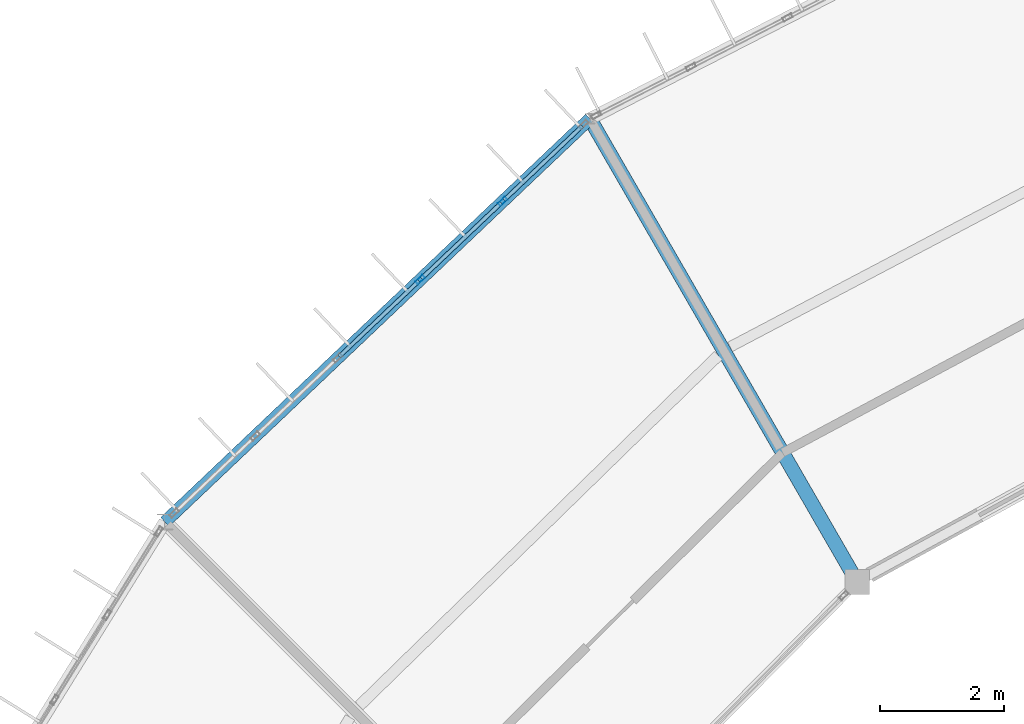
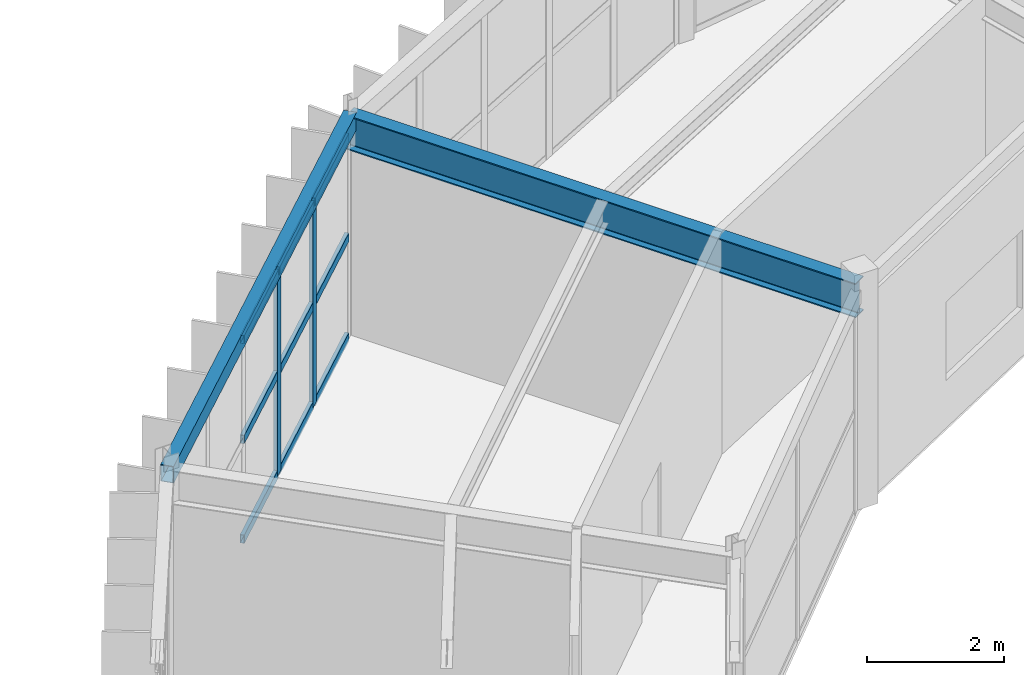
# One storey, part 71 of 134: 11 members, 2 beams, 1 element without a shape of its own.
"""IFC4 building model written with IfcOpenShell, lengths in metres."""

import ifcopenshell
import ifcopenshell.guid

model = None  # the IFC model being written
_history = None  # IfcOwnerHistory: only IFC2X3 demands one
_inside = {}  # id of a spatial element -> (the spatial element, [elements in it])
_under = {}  # id of a project, library or spatial element -> (it, [spatial elements below it])
_declared = {}  # id of a project -> (the project, [libraries it declares])
_typed = {}  # id of a type object -> (the type object, [elements of that type])
_made_of = {}  # id of a material, layer set ... -> (it, [elements and type objects made of it])


def new_model(schema):
    """Start an empty IFC model of exactly this schema.

    Asked for "IFC4X3", IfcOpenShell would pick the latest addendum, in which some entities
    have other attributes; the version numbers below select the first issue.
    IFC2X3 requires an IfcOwnerHistory on every rooted entity: one is made here for all.
    """
    global model, _history
    if schema == "IFC4X3":
        model = ifcopenshell.file(schema_version=(4, 3, 0, 0))
    else:
        model = ifcopenshell.file(schema=schema)
    _inside.clear()
    _under.clear()
    _declared.clear()
    _typed.clear()
    _made_of.clear()
    _history = None
    if model.schema == "IFC2X3":
        org = make("IfcOrganization", Name="unknown")
        user = make(
            "IfcPersonAndOrganization",
            ThePerson=make("IfcPerson", FamilyName="unknown"),
            TheOrganization=org,
        )
        app = make(
            "IfcApplication",
            ApplicationDeveloper=org,
            Version="unknown",
            ApplicationFullName="unknown",
            ApplicationIdentifier="unknown",
        )
        _history = make(
            "IfcOwnerHistory",
            OwningUser=user,
            OwningApplication=app,
            ChangeAction="ADDED",
            CreationDate=0,
        )
    return model


def make(cls, **values):
    """One entity of the class cls with the attributes given. An attribute that is None is left unset."""
    return model.create_entity(
        cls, **{name: value for name, value in values.items() if value is not None}
    )


def rooted(cls, **values):
    """An entity with a GlobalId (a new one), such as an element, a storey or a relation."""
    return make(cls, GlobalId=ifcopenshell.guid.new(), OwnerHistory=_history, **values)


def si_unit(unit_type, name, prefix=None):
    """IfcSIUnit, for example si_unit("LENGTHUNIT", "METRE", prefix="MILLI")."""
    return make("IfcSIUnit", UnitType=unit_type, Prefix=prefix, Name=name)


def assignment(units):
    """IfcUnitAssignment: the units of a project."""
    return None if units is None else make("IfcUnitAssignment", Units=units)


def point(xyz):
    """IfcCartesianPoint."""
    return None if xyz is None else make("IfcCartesianPoint", Coordinates=xyz)


def direction(xyz):
    """IfcDirection."""
    return None if xyz is None else make("IfcDirection", DirectionRatios=xyz)


def frame(location, z_axis=None, x_axis=None):
    """IfcAxis2Placement3D, a coordinate frame: its origin and axes. An axis left out is left unset."""
    return make(
        "IfcAxis2Placement3D",
        Location=point(location),
        Axis=direction(z_axis),
        RefDirection=direction(x_axis),
    )


def frame_2d(location, x_axis=None):
    """IfcAxis2Placement2D, a coordinate frame in the plane: its origin and x axis."""
    return make(
        "IfcAxis2Placement2D", Location=point(location), RefDirection=direction(x_axis)
    )


def origin():
    """The frame at (0, 0, 0) with its axes left unset."""
    return frame((0.0, 0.0, 0.0))


def origin_2d():
    """The frame at (0, 0) in the plane with its x axis left unset."""
    return frame_2d((0.0, 0.0))


def place(relative_to, where):
    """IfcLocalPlacement: puts the frame where relative to a parent placement (None: the world)."""
    return make(
        "IfcLocalPlacement", PlacementRelTo=relative_to, RelativePlacement=where
    )


def context(
    kind, dimensions, precision=None, world=None, true_north=None, identifier=None
):
    """IfcGeometricRepresentationContext, for example the 3D "Model" context."""
    return make(
        "IfcGeometricRepresentationContext",
        ContextIdentifier=identifier,
        ContextType=kind,
        CoordinateSpaceDimension=dimensions,
        Precision=precision,
        WorldCoordinateSystem=world,
        TrueNorth=true_north,
    )


def subcontext(parent, identifier, kind, view, scale=None):
    """IfcGeometricRepresentationSubContext, for example "Body" below "Model"."""
    return make(
        "IfcGeometricRepresentationSubContext",
        ContextIdentifier=identifier,
        ContextType=kind,
        ParentContext=parent,
        TargetScale=scale,
        TargetView=view,
    )


def project(units=None, contexts=None):
    """IfcProject with its units and contexts."""
    return rooted(
        "IfcProject",
        Name="project",
        RepresentationContexts=contexts,
        UnitsInContext=assignment(units),
    )


def spatial(cls, under=None, at=None, **own):
    """A site, building, storey or space (cls), placed at a placement, below another one or the project."""
    s = rooted(cls, ObjectPlacement=at, **own)
    if under is not None:
        _under.setdefault(under.id(), (under, []))[1].append(s)
    return s


def profile(cls, at=None, kind="AREA", **sizes):
    """A parametric profile (cls). Its sizes go by their IFC names, for example OverallWidth=200.0."""
    return make(cls, ProfileType=kind, Position=at, **sizes)


def hollow_rectangle(**sizes):
    """IfcRectangleHollowProfileDef."""
    return profile("IfcRectangleHollowProfileDef", **sizes)


def i_section(**sizes):
    """IfcIShapeProfileDef."""
    return profile("IfcIShapeProfileDef", **sizes)


def extrude(swept, where, along, depth):
    """IfcExtrudedAreaSolid: the profile swept, set in the frame where, extruded along a direction by depth."""
    return make(
        "IfcExtrudedAreaSolid",
        SweptArea=swept,
        Position=where,
        ExtrudedDirection=direction(along),
        Depth=depth,
    )


def shape(context_of_items, identifier, shape_type, items):
    """IfcShapeRepresentation: the items that make up one representation, for example the "Body"."""
    return make(
        "IfcShapeRepresentation",
        ContextOfItems=context_of_items,
        RepresentationIdentifier=identifier,
        RepresentationType=shape_type,
        Items=items,
    )


def material(Name=None, Category=None):
    """IfcMaterial."""
    return make("IfcMaterial", Name=Name, Category=Category)


def material_profile(
    of_material, cross_section, Name=None, Category=None, Priority=None
):
    """IfcMaterialProfile: a cross section and its material."""
    return make(
        "IfcMaterialProfile",
        Name=Name,
        Material=of_material,
        Profile=cross_section,
        Priority=Priority,
        Category=Category,
    )


def profile_set(profiles, Name=None, composite=None):
    """IfcMaterialProfileSet."""
    return make(
        "IfcMaterialProfileSet",
        Name=Name,
        MaterialProfiles=profiles,
        CompositeProfile=composite,
    )


def made_of(thing, what):
    """Note that an element or type object is made of a material, layer set ...; save() writes the relation."""
    if what is not None:
        _made_of.setdefault(what.id(), (what, []))[1].append(thing)
    return thing


def type_object(cls, material=None, **own):
    """A type object (cls), such as IfcWallType, which elements share."""
    return made_of(rooted(cls, **own), material)


def element(
    cls,
    number,
    at=None,
    inside=None,
    cuts=None,
    type_object=None,
    material=None,
    context=None,
    identifier="Body",
    shape_type=None,
    held_by="IfcProductDefinitionShape",
    body=None,
    shapes=None,
    **own,
):
    """One element of the class cls, such as IfcWall. Its Tag is "e" and its number.

    at: its placement. inside: the storey or other place that contains it. cuts: it is an
    opening in that element (IfcRelVoidsElement). A single representation is given by context,
    identifier, shape_type and body (its items); several are given by shapes. held_by: the class
    of the entity that holds the representations. save() writes the other relations.
    """
    e = rooted(cls, Tag="e%d" % number, ObjectPlacement=at, **own)
    if body is not None:
        shapes = [shape(context, identifier, shape_type, body)]
    if shapes is not None:
        e.Representation = make(held_by, Representations=shapes)
    if inside is not None:
        _inside.setdefault(inside.id(), (inside, []))[1].append(e)
    if cuts is not None:
        rooted(
            "IfcRelVoidsElement", RelatingBuildingElement=cuts, RelatedOpeningElement=e
        )
    if type_object is not None:
        _typed.setdefault(type_object.id(), (type_object, []))[1].append(e)
    return made_of(e, material)


def aggregate(whole, parts):
    """IfcRelAggregates: a whole, such as a stair, and the parts it consists of."""
    return rooted("IfcRelAggregates", RelatingObject=whole, RelatedObjects=parts)


def save(model, path):
    """Write the relations noted so far, then the file.

    IfcRelAggregates (storeys below a building ...), IfcRelContainedInSpatialStructure (elements
    in a storey), IfcRelDefinesByType, IfcRelAssociatesMaterial and IfcRelDeclares: one each for
    every whole, place, type object, material and project.
    """
    for whole, parts in _under.values():
        aggregate(whole, parts)
    for where, things in _inside.values():
        rooted(
            "IfcRelContainedInSpatialStructure",
            RelatedElements=things,
            RelatingStructure=where,
        )
    for kind, things in _typed.values():
        rooted("IfcRelDefinesByType", RelatedObjects=things, RelatingType=kind)
    for what, things in _made_of.values():
        rooted("IfcRelAssociatesMaterial", RelatedObjects=things, RelatingMaterial=what)
    for by, libraries in _declared.values():
        rooted("IfcRelDeclares", RelatingContext=by, RelatedDefinitions=libraries)
    model.write(path)


model = new_model("IFC4")

# Units and contexts
model_context = context("Model", 3, precision=1e-05, world=origin(), true_north=direction((0.0, 1.0)))
body_context = subcontext(model_context, "Body", "Model", "MODEL_VIEW")
ifc_project = project(units=[si_unit("LENGTHUNIT", "METRE"), si_unit("AREAUNIT", "SQUARE_METRE"), si_unit("VOLUMEUNIT", "CUBIC_METRE"), si_unit("PLANEANGLEUNIT", "RADIAN"), si_unit("MASSUNIT", "GRAM", prefix="KILO")], contexts=[model_context])

# Site, building, storey
site_placement = place(None, origin())
site = spatial("IfcSite", under=ifc_project, at=site_placement, CompositionType="ELEMENT")
building_placement = place(site_placement, origin())
building = spatial("IfcBuilding", under=site, at=building_placement, Name="Karori Crest Natural Sciences Institute", CompositionType="ELEMENT")
storey_placement = place(building_placement, frame((0.0, 0.0, 21.699951171875)))
storey = spatial("IfcBuildingStorey", under=building, at=storey_placement, Name="L05", CompositionType="ELEMENT", Elevation=21.699951171875)

# Beams
ifc_material_1 = material(Name="Structural steel AS/NZS 3679.1 Grade 350", Category="steel")
ifc_material_profile_1 = material_profile(ifc_material_1, i_section(OverallWidth=0.22900390625, OverallDepth=0.612060546875, WebThickness=0.011962890625, FlangeThickness=0.01953125, FilletRadius=0.013916015625, at=origin_2d()), Name="610UB125")
ifc_profile_set_1 = profile_set([ifc_material_profile_1], Name="Structural steel AS/NZS 3679.1 Grade 350")
beam_type_1 = type_object("IfcBeamType", Name="BT-04", PredefinedType="BEAM", material=ifc_profile_set_1)
beam_1_placement = place(storey_placement, frame((54.199951171875, 77.785888671875, 3.634033203125), z_axis=(-0.499995216735, 0.866028165386, 0.0), x_axis=(-0.866028165386, -0.499995216735, 0.0)))
element("IfcBeam", 1, at=beam_1_placement, inside=storey, type_object=beam_type_1, Name="Beam B-0573", PredefinedType="BEAM", context=body_context, shape_type="SweptSolid", body=[
    extrude(i_section(OverallWidth=0.22900390625, OverallDepth=0.612060546875, WebThickness=0.011962890625, FlangeThickness=0.01953125, FilletRadius=0.013916015625, at=origin_2d()), origin(), (0.0, 0.0, 1.0), 8.60009765625),
])
ifc_material_2 = material(Name="Hollow structural steel AS/NZS 1163 Grade C350", Category="steel")
ifc_material_profile_2 = material_profile(ifc_material_2, hollow_rectangle(XDim=0.199951171875, YDim=0.300048828125, WallThickness=0.010009765625, at=origin_2d()), Name="RHS300x200x10")
ifc_profile_set_2 = profile_set([ifc_material_profile_2], Name="Hollow structural steel AS/NZS 1163 Grade C350")
beam_type_2 = type_object("IfcBeamType", Name="BT-15", PredefinedType="SPANDREL", material=ifc_profile_set_2)
beam_2_placement = place(storey_placement, frame((49.89990234375, 85.23388671875, 3.7900390625), z_axis=(-0.72546900706, -0.688254836376, 0.0), x_axis=(0.688254836376, -0.72546900706, 0.0)))
element("IfcBeam", 2, at=beam_2_placement, inside=storey, type_object=beam_type_2, Name="Beam B-0571", PredefinedType="SPANDREL", context=body_context, shape_type="SweptSolid", body=[
    extrude(hollow_rectangle(XDim=0.199951171875, YDim=0.300048828125, WallThickness=0.010009765625, at=origin_2d()), origin(), (0.0, 0.0, 1.0), 9.420654296875),
])

# Curtain wall, members
ifc_material_3 = material(Name="Anodised architectural aluminium 6063-T6", Category="aluminium")
curtain_wall_type = type_object("IfcCurtainWallType", Name="CWT-09", PredefinedType="NOTDEFINED", material=ifc_material_3)
curtain_wall_placement = place(storey_placement, origin())
curtain_wall = element("IfcCurtainWall", 3, at=curtain_wall_placement, inside=storey, type_object=curtain_wall_type, Name="Curtain wall CW-0184", PredefinedType="NOTDEFINED")
ifc_material_profile_3 = material_profile(ifc_material_3, hollow_rectangle(XDim=0.06494140625, YDim=0.159912109375, WallThickness=0.00390625, at=origin_2d()), Name="CWM160x65x4")
ifc_profile_set_3 = profile_set([ifc_material_profile_3], Name="Anodised architectural aluminium 6063-T6")
member_type_1 = type_object("IfcMemberType", Name="CWM-01", PredefinedType="MULLION", material=ifc_profile_set_3)
member_1_placement = place(storey_placement, frame((47.17138671875, 82.645263671875, 0.0), z_axis=(0.0, 0.0, 1.0), x_axis=(-0.688250542104, 0.725473081026, 0.0)))
member_1 = element("IfcMember", 4, at=member_1_placement, type_object=member_type_1, Name="CW-0184 mullion 4", PredefinedType="MULLION", context=body_context, shape_type="SweptSolid", body=[
    extrude(hollow_rectangle(XDim=0.06494140625, YDim=0.159912109375, WallThickness=0.00390625, at=origin_2d()), origin(), (0.0, 0.0, 1.0), 3.625),
])
member_2_placement = place(storey_placement, frame((48.498046875, 83.90380859375, 0.0), z_axis=(0.0, 0.0, 1.0), x_axis=(-0.688250542104, 0.725473081026, 0.0)))
member_2 = element("IfcMember", 5, at=member_2_placement, type_object=member_type_1, Name="CW-0184 mullion 5", PredefinedType="MULLION", context=body_context, shape_type="SweptSolid", body=[
    extrude(hollow_rectangle(XDim=0.06494140625, YDim=0.159912109375, WallThickness=0.00390625, at=origin_2d()), origin(), (0.0, 0.0, 1.0), 3.625),
])
ifc_material_profile_4 = material_profile(ifc_material_3, hollow_rectangle(XDim=0.06494140625, YDim=0.14990234375, WallThickness=0.00390625, at=origin_2d()), Name="CWT150x65x4")
ifc_profile_set_4 = profile_set([ifc_material_profile_4], Name="Anodised architectural aluminium 6063-T6")
member_type_2 = type_object("IfcMemberType", Name="CWT-TR2", PredefinedType="USERDEFINED", material=ifc_profile_set_4)
member_3_placement = place(storey_placement, frame((45.86865234375, 81.4091796875, 0.032470703125), z_axis=(0.725414069786, 0.688312739499, 0.0), x_axis=(-0.688312739499, 0.725414069786, 0.0)))
member_3 = element("IfcMember", 6, at=member_3_placement, type_object=member_type_2, Name="CW-0184 transom 3.1", ObjectType="TRANSOM", PredefinedType="USERDEFINED", context=body_context, shape_type="SweptSolid", body=[
    extrude(hollow_rectangle(XDim=0.06494140625, YDim=0.14990234375, WallThickness=0.00390625, at=origin_2d()), origin(), (0.0, 0.0, 1.0), 1.763427734375),
])
member_4_placement = place(storey_placement, frame((45.86865234375, 81.4091796875, 1.8125), z_axis=(0.725414069786, 0.688312739499, 0.0), x_axis=(-0.688312739499, 0.725414069786, 0.0)))
member_4 = element("IfcMember", 7, at=member_4_placement, type_object=member_type_2, Name="CW-0184 transom 3.2", ObjectType="TRANSOM", PredefinedType="USERDEFINED", context=body_context, shape_type="SweptSolid", body=[
    extrude(hollow_rectangle(XDim=0.06494140625, YDim=0.14990234375, WallThickness=0.00390625, at=origin_2d()), origin(), (0.0, 0.0, 1.0), 1.763427734375),
])
member_5_placement = place(storey_placement, frame((45.86865234375, 81.4091796875, 3.592529296875), z_axis=(0.725414069786, 0.688312739499, 0.0), x_axis=(-0.688312739499, 0.725414069786, 0.0)))
member_5 = element("IfcMember", 8, at=member_5_placement, type_object=member_type_2, Name="CW-0184 transom 3.3", ObjectType="TRANSOM", PredefinedType="USERDEFINED", context=body_context, shape_type="SweptSolid", body=[
    extrude(hollow_rectangle(XDim=0.06494140625, YDim=0.14990234375, WallThickness=0.00390625, at=origin_2d()), origin(), (0.0, 0.0, 1.0), 1.763427734375),
])
member_6_placement = place(storey_placement, frame((47.195068359375, 82.667724609375, 0.032470703125), z_axis=(0.725483196334, 0.688239879575, 0.0), x_axis=(-0.688239879575, 0.725483196334, 0.0)))
member_6 = element("IfcMember", 9, at=member_6_placement, type_object=member_type_2, Name="CW-0184 transom 4.1", ObjectType="TRANSOM", PredefinedType="USERDEFINED", context=body_context, shape_type="SweptSolid", body=[
    extrude(hollow_rectangle(XDim=0.06494140625, YDim=0.14990234375, WallThickness=0.00390625, at=origin_2d()), origin(), (0.0, 0.0, 1.0), 1.763427734375),
])
member_7_placement = place(storey_placement, frame((47.195068359375, 82.667724609375, 1.8125), z_axis=(0.725483196334, 0.688239879575, 0.0), x_axis=(-0.688239879575, 0.725483196334, 0.0)))
member_7 = element("IfcMember", 10, at=member_7_placement, type_object=member_type_2, Name="CW-0184 transom 4.2", ObjectType="TRANSOM", PredefinedType="USERDEFINED", context=body_context, shape_type="SweptSolid", body=[
    extrude(hollow_rectangle(XDim=0.06494140625, YDim=0.14990234375, WallThickness=0.00390625, at=origin_2d()), origin(), (0.0, 0.0, 1.0), 1.763427734375),
])
member_8_placement = place(storey_placement, frame((47.195068359375, 82.667724609375, 3.592529296875), z_axis=(0.725483196334, 0.688239879575, 0.0), x_axis=(-0.688239879575, 0.725483196334, 0.0)))
member_8 = element("IfcMember", 11, at=member_8_placement, type_object=member_type_2, Name="CW-0184 transom 4.3", ObjectType="TRANSOM", PredefinedType="USERDEFINED", context=body_context, shape_type="SweptSolid", body=[
    extrude(hollow_rectangle(XDim=0.06494140625, YDim=0.14990234375, WallThickness=0.00390625, at=origin_2d()), origin(), (0.0, 0.0, 1.0), 1.763427734375),
])
member_9_placement = place(storey_placement, frame((48.521484375, 83.926025390625, 0.032470703125), z_axis=(0.725478143339, 0.688245205967, 0.0), x_axis=(-0.688245205967, 0.725478143339, 0.0)))
member_9 = element("IfcMember", 12, at=member_9_placement, type_object=member_type_2, Name="CW-0184 transom 5.1", ObjectType="TRANSOM", PredefinedType="USERDEFINED", context=body_context, shape_type="SweptSolid", body=[
    extrude(hollow_rectangle(XDim=0.06494140625, YDim=0.14990234375, WallThickness=0.00390625, at=origin_2d()), origin(), (0.0, 0.0, 1.0), 1.73095703125),
])
member_10_placement = place(storey_placement, frame((48.521484375, 83.926025390625, 1.8125), z_axis=(0.725478143339, 0.688245205967, 0.0), x_axis=(-0.688245205967, 0.725478143339, 0.0)))
member_10 = element("IfcMember", 13, at=member_10_placement, type_object=member_type_2, Name="CW-0184 transom 5.2", ObjectType="TRANSOM", PredefinedType="USERDEFINED", context=body_context, shape_type="SweptSolid", body=[
    extrude(hollow_rectangle(XDim=0.06494140625, YDim=0.14990234375, WallThickness=0.00390625, at=origin_2d()), origin(), (0.0, 0.0, 1.0), 1.73095703125),
])
member_11_placement = place(storey_placement, frame((48.521484375, 83.926025390625, 3.592529296875), z_axis=(0.725478143339, 0.688245205967, 0.0), x_axis=(-0.688245205967, 0.725478143339, 0.0)))
member_11 = element("IfcMember", 14, at=member_11_placement, type_object=member_type_2, Name="CW-0184 transom 5.3", ObjectType="TRANSOM", PredefinedType="USERDEFINED", context=body_context, shape_type="SweptSolid", body=[
    extrude(hollow_rectangle(XDim=0.06494140625, YDim=0.14990234375, WallThickness=0.00390625, at=origin_2d()), origin(), (0.0, 0.0, 1.0), 1.73095703125),
])
aggregate(curtain_wall, [member_1, member_2, member_3, member_4, member_5, member_6, member_7, member_8, member_9, member_10, member_11])

save(model, "model.ifc")
